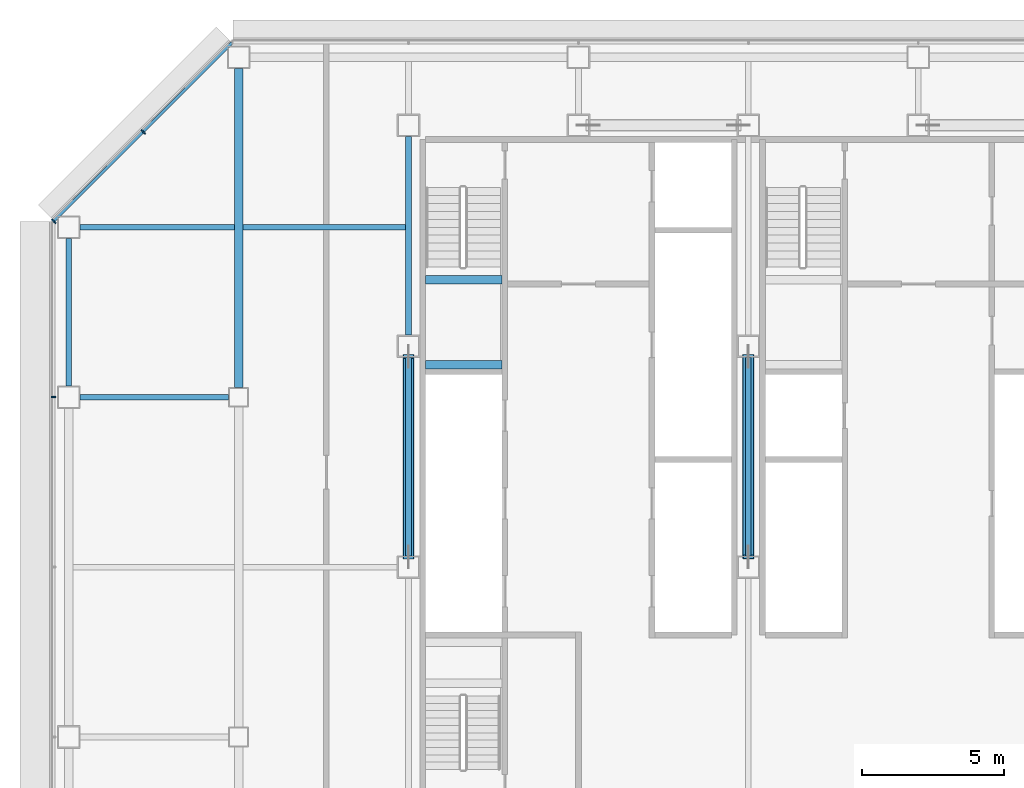
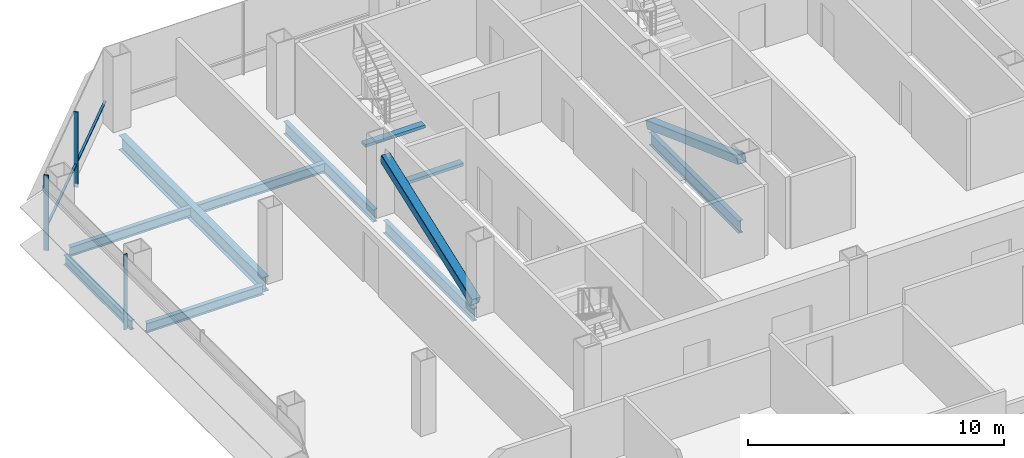
# One storey, part 11 of 25: 10 beams, 6 members, 2 elements without a shape of their own.
"""IFC4 building model written with IfcOpenShell, lengths in metres."""

from ifc_helpers import new_model, si_unit, direction, frame, origin, origin_2d, place, context, subcontext, project, spatial, rectangle, hollow_rectangle, i_section, extrude, material, material_profile, profile_set, type_object, element, aggregate, save


model = new_model("IFC4")

# Units and contexts
model_context = context("Model", 3, precision=1e-05, world=origin(), true_north=direction((0.0, 1.0)))
body_context = subcontext(model_context, "Body", "Model", "MODEL_VIEW")
ifc_project = project(units=[si_unit("LENGTHUNIT", "METRE"), si_unit("AREAUNIT", "SQUARE_METRE"), si_unit("VOLUMEUNIT", "CUBIC_METRE"), si_unit("PLANEANGLEUNIT", "RADIAN"), si_unit("MASSUNIT", "GRAM", prefix="KILO")], contexts=[model_context])

# Site, building, storey
site_placement = place(None, origin())
site = spatial("IfcSite", under=ifc_project, at=site_placement, CompositionType="ELEMENT")
building_placement = place(site_placement, origin())
building = spatial("IfcBuilding", under=site, at=building_placement, Name="Sorahane Residences", CompositionType="ELEMENT")
storey_placement = place(building_placement, frame((0.0, 0.0, 119.60009765625)))
storey = spatial("IfcBuildingStorey", under=building, at=storey_placement, Name="L26", CompositionType="ELEMENT", Elevation=119.60009765625)

# Members
ifc_material_1 = material(Name="Steel Q355B", Category="steel")
ifc_material_profile_1 = material_profile(ifc_material_1, hollow_rectangle(XDim=0.39990234375, YDim=0.39990234375, WallThickness=0.02001953125, InnerFilletRadius=0.010009765625, OuterFilletRadius=0.030029296875, at=origin_2d()), Name="RHS 400x400x20")
ifc_profile_set_1 = profile_set([ifc_material_profile_1], Name="Steel Q355B")
member_type_1 = type_object("IfcMemberType", Name="Core brace RHS 400x400x20 Q355B", PredefinedType="BRACE", material=ifc_profile_set_1)
for number, where, z_axis, x_axis, name in (
    (1, (6.0, 30.358642578125, 0.184814453125), (0.0, 0.938733651637, 0.344643484319), (-1.0, 0.0, 0.0), "Core brace L26 x6-2"),
    (2, (18.0, 37.44140625, 0.184814453125), (0.0, -0.938733651637, 0.344643484319), (1.0, 0.0, 0.0), "Core brace L26 x18-1"),
):
    element("IfcMember", number, at=place(storey_placement, frame(where, z_axis=z_axis, x_axis=x_axis)), inside=storey, type_object=member_type_1, Name=name, PredefinedType="BRACE", context=body_context, shape_type="SweptSolid", body=[
        extrude(hollow_rectangle(XDim=0.39990234375, YDim=0.39990234375, WallThickness=0.02001953125, InnerFilletRadius=0.010009765625, OuterFilletRadius=0.030029296875, at=origin_2d()), origin(), (0.0, 0.0, 1.0), 7.544921875),
    ])

# Curtain wall, member
ifc_material_2 = material(Name="Dark low-e glass and black anodised aluminium", Category="aluminium")
curtain_wall_type_1 = type_object("IfcCurtainWallType", Name="Curtain wall CW-1 Typical unitised wall", PredefinedType="NOTDEFINED", material=ifc_material_2)
curtain_wall_1_placement = place(storey_placement, origin())
curtain_wall_1 = element("IfcCurtainWall", 3, at=curtain_wall_1_placement, inside=storey, type_object=curtain_wall_type_1, Name="CW-1 curtain wall L26 W1", PredefinedType="NOTDEFINED")
ifc_material_3 = material(Name="Black anodised aluminium", Category="aluminium")
ifc_material_profile_2 = material_profile(ifc_material_3, rectangle(XDim=0.159912109375, YDim=0.050048828125, at=origin_2d()), Name="Curtain wall mullion CW-1 black anodised aluminium 50x160")
ifc_profile_set_2 = profile_set([ifc_material_profile_2], Name="Black anodised aluminium")
member_type_2 = type_object("IfcMemberType", Name="Curtain wall mullion CW-1 black anodised aluminium 50x160", PredefinedType="MULLION", material=ifc_profile_set_2)
member_1_placement = place(storey_placement, frame((-6.5400390625, 36.0, -0.18017578125), z_axis=(0.0, 0.0, 1.0), x_axis=(-1.0, 0.0, 0.0)))
member_1 = element("IfcMember", 4, at=member_1_placement, type_object=member_type_2, Name="CW-1 mullion L26 W1.2", PredefinedType="MULLION", context=body_context, shape_type="SweptSolid", body=[
    extrude(rectangle(XDim=0.159912109375, YDim=0.050048828125, at=origin_2d()), origin(), (0.0, 0.0, 1.0), 3.60009765625),
])
aggregate(curtain_wall_1, [member_1])

# Curtain wall, members
ifc_material_4 = material(Name="Dark low-e glass and black anodised aluminium", Category="aluminium")
curtain_wall_type_2 = type_object("IfcCurtainWallType", Name="Curtain wall CW-2 Chamfer unitised wall", PredefinedType="NOTDEFINED", material=ifc_material_4)
curtain_wall_2_placement = place(storey_placement, origin())
curtain_wall_2 = element("IfcCurtainWall", 5, at=curtain_wall_2_placement, inside=storey, type_object=curtain_wall_type_2, Name="CW-2 curtain wall L26 NW1", PredefinedType="NOTDEFINED")
ifc_material_5 = material(Name="Black anodised aluminium", Category="aluminium")
ifc_material_profile_3 = material_profile(ifc_material_5, rectangle(XDim=0.199951171875, YDim=0.050048828125, at=origin_2d()), Name="Curtain wall mullion CW-2 black anodised aluminium 50x200")
ifc_profile_set_3 = profile_set([ifc_material_profile_3], Name="Black anodised aluminium")
member_type_3 = type_object("IfcMemberType", Name="Curtain wall mullion CW-2 black anodised aluminium 50x200", PredefinedType="MULLION", material=ifc_profile_set_3)
member_2_placement = place(storey_placement, frame((-3.36767578125, 45.36767578125, -0.18017578125), z_axis=(0.0, 0.0, 1.0), x_axis=(-0.707106781187, 0.707106781187, 0.0)))
member_2 = element("IfcMember", 6, at=member_2_placement, type_object=member_type_3, Name="CW-2 mullion L26 NW1.2", PredefinedType="MULLION", context=body_context, shape_type="SweptSolid", body=[
    extrude(rectangle(XDim=0.199951171875, YDim=0.050048828125, at=origin_2d()), origin(), (0.0, 0.0, 1.0), 3.60009765625),
])
member_3_placement = place(storey_placement, frame((-6.525634765625, 42.209716796875, -0.18017578125), z_axis=(0.0, 0.0, 1.0), x_axis=(-0.707106781187, 0.707106781187, 0.0)))
member_3 = element("IfcMember", 7, at=member_3_placement, type_object=member_type_3, Name="CW-2 mullion L26 NW1.3", PredefinedType="MULLION", context=body_context, shape_type="SweptSolid", body=[
    extrude(rectangle(XDim=0.199951171875, YDim=0.050048828125, at=origin_2d()), origin(), (0.0, 0.0, 1.0), 3.60009765625),
])
ifc_material_6 = material(Name="Black anodised aluminium", Category="aluminium")
ifc_material_profile_4 = material_profile(ifc_material_6, rectangle(XDim=0.10009765625, YDim=0.06005859375, at=origin_2d()), Name="Curtain wall transom CW-2 black anodised aluminium 60x100")
ifc_profile_set_4 = profile_set([ifc_material_profile_4], Name="Black anodised aluminium")
member_type_4 = type_object("IfcMemberType", Name="Curtain wall transom CW-2 black anodised aluminium 60x100", PredefinedType="USERDEFINED", material=ifc_profile_set_4)
member_4_placement = place(storey_placement, frame((-0.234375, 48.51513671875, 0.89990234375), z_axis=(-0.707106781187, -0.707106781187, 0.0), x_axis=(0.707106781187, -0.707106781187, 0.0)))
member_4 = element("IfcMember", 8, at=member_4_placement, type_object=member_type_4, Name="CW-2 transom L26 NW1", ObjectType="TRANSOM", PredefinedType="USERDEFINED", context=body_context, shape_type="SweptSolid", body=[
    extrude(rectangle(XDim=0.10009765625, YDim=0.06005859375, at=origin_2d()), origin(), (0.0, 0.0, 1.0), 8.88232421875),
])
aggregate(curtain_wall_2, [member_2, member_3, member_4])

# Beams
ifc_material_7 = material(Name="Concrete C40", Category="concrete")
ifc_material_profile_5 = material_profile(ifc_material_7, rectangle(XDim=0.300048828125, YDim=0.139892578125, at=origin_2d()), Name="300x140")
ifc_profile_set_5 = profile_set([ifc_material_profile_5], Name="Concrete C40")
beam_type_1 = type_object("IfcBeamType", Name="RC landing beam 300 x 140 Concrete C40", PredefinedType="BEAM", material=ifc_profile_set_5)
for number, where, z_axis, x_axis, name in (
    (9, (6.60009765625, 37.14990234375, 1.52978515625), (1.0, 0.0, 0.0), (0.0, 1.0, 0.0), "Landing beam"),
    (10, (6.60009765625, 40.14990234375, 1.52978515625), (1.0, 0.0, 0.0), (0.0, 1.0, 0.0), "Landing beam"),
):
    element("IfcBeam", number, at=place(storey_placement, frame(where, z_axis=z_axis, x_axis=x_axis)), inside=storey, type_object=beam_type_1, Name=name, PredefinedType="BEAM", context=body_context, shape_type="SweptSolid", body=[
        extrude(rectangle(XDim=0.300048828125, YDim=0.139892578125, at=origin_2d()), origin(), (0.0, 0.0, 1.0), 2.699951171875),
    ])
ifc_material_8 = material(Name="Steel Q355B", Category="steel")
ifc_material_profile_6 = material_profile(ifc_material_8, i_section(OverallWidth=0.199951171875, OverallDepth=0.449951171875, WebThickness=0.009033203125, FlangeThickness=0.013916015625, FilletRadius=0.02001953125, at=origin_2d()), Name="HN 450x200x9x14")
ifc_profile_set_6 = profile_set([ifc_material_profile_6], Name="Steel Q355B")
beam_type_2 = type_object("IfcBeamType", Name="Steel floor beam HN 450x200x9x14 Q355B", PredefinedType="BEAM", material=ifc_profile_set_6)
beam_1_placement = place(storey_placement, frame((-5.60009765625, 36.0, -0.405029296875), z_axis=(1.0, 0.0, 0.0), x_axis=(0.0, 1.0, 0.0)))
element("IfcBeam", 11, at=beam_1_placement, inside=storey, type_object=beam_type_2, Name="Beam L26 013", PredefinedType="BEAM", context=body_context, shape_type="SweptSolid", body=[
    extrude(i_section(OverallWidth=0.199951171875, OverallDepth=0.449951171875, WebThickness=0.009033203125, FlangeThickness=0.013916015625, FilletRadius=0.02001953125, at=origin_2d()), origin(), (0.0, 0.0, 1.0), 5.25),
])
beam_2_placement = place(storey_placement, frame((-6.0, 36.39990234375, -0.405029296875), z_axis=(0.0, 1.0, 0.0), x_axis=(-1.0, 0.0, 0.0)))
element("IfcBeam", 12, at=beam_2_placement, inside=storey, type_object=beam_type_2, Name="Beam L26 023", PredefinedType="BEAM", context=body_context, shape_type="SweptSolid", body=[
    extrude(i_section(OverallWidth=0.199951171875, OverallDepth=0.449951171875, WebThickness=0.009033203125, FlangeThickness=0.013916015625, FilletRadius=0.02001953125, at=origin_2d()), origin(), (0.0, 0.0, 1.0), 5.2001953125),
])
beam_3_placement = place(storey_placement, frame((-5.60009765625, 42.0, -0.405029296875), z_axis=(1.0, 0.0, 0.0), x_axis=(0.0, 1.0, 0.0)))
element("IfcBeam", 13, at=beam_3_placement, inside=storey, type_object=beam_type_2, Name="Beam L26 089", PredefinedType="BEAM", context=body_context, shape_type="SweptSolid", body=[
    extrude(i_section(OverallWidth=0.199951171875, OverallDepth=0.449951171875, WebThickness=0.009033203125, FlangeThickness=0.013916015625, FilletRadius=0.02001953125, at=origin_2d()), origin(), (0.0, 0.0, 1.0), 5.4501953125),
])
beam_4_placement = place(storey_placement, frame((0.14990234375, 42.0, -0.405029296875), z_axis=(1.0, 0.0, 0.0), x_axis=(0.0, 1.0, 0.0)))
element("IfcBeam", 14, at=beam_4_placement, inside=storey, type_object=beam_type_2, Name="Beam L26 090", PredefinedType="BEAM", context=body_context, shape_type="SweptSolid", body=[
    extrude(i_section(OverallWidth=0.199951171875, OverallDepth=0.449951171875, WebThickness=0.009033203125, FlangeThickness=0.013916015625, FilletRadius=0.02001953125, at=origin_2d()), origin(), (0.0, 0.0, 1.0), 5.75),
])
ifc_material_9 = material(Name="Steel Q355B", Category="steel")
ifc_material_profile_7 = material_profile(ifc_material_9, i_section(OverallWidth=0.199951171875, OverallDepth=0.60009765625, WebThickness=0.010986328125, FlangeThickness=0.01708984375, FilletRadius=0.02392578125, at=origin_2d()), Name="HN 600x200x11x17")
ifc_profile_set_7 = profile_set([ifc_material_profile_7], Name="Steel Q355B")
beam_type_3 = type_object("IfcBeamType", Name="Steel floor beam HN 600x200x11x17 Q355B", PredefinedType="BEAM", material=ifc_profile_set_7)
for number, where, z_axis, x_axis, name in (
    (15, (6.0, 30.39990234375, -0.47998046875), (0.0, 1.0, 0.0), (-1.0, 0.0, 0.0), "Beam L26 031"),
    (16, (6.0, 38.199951171875, -0.47998046875), (0.0, 1.0, 0.0), (-1.0, 0.0, 0.0), "Beam L26 032"),
    (17, (18.0, 30.39990234375, -0.47998046875), (0.0, 1.0, 0.0), (-1.0, 0.0, 0.0), "Beam L26 039"),
):
    element("IfcBeam", number, at=place(storey_placement, frame(where, z_axis=z_axis, x_axis=x_axis)), inside=storey, type_object=beam_type_3, Name=name, PredefinedType="BEAM", context=body_context, shape_type="SweptSolid", body=[
        extrude(i_section(OverallWidth=0.199951171875, OverallDepth=0.60009765625, WebThickness=0.010986328125, FlangeThickness=0.01708984375, FilletRadius=0.02392578125, at=origin_2d()), origin(), (0.0, 0.0, 1.0), 7.0),
    ])
ifc_material_10 = material(Name="Steel Q355B", Category="steel")
ifc_material_profile_8 = material_profile(ifc_material_10, i_section(OverallWidth=0.300048828125, OverallDepth=0.699951171875, WebThickness=0.012939453125, FlangeThickness=0.02392578125, FilletRadius=0.028076171875, at=origin_2d()), Name="HN 700x300x13x24")
ifc_profile_set_8 = profile_set([ifc_material_profile_8], Name="Steel Q355B")
beam_type_4 = type_object("IfcBeamType", Name="Steel floor beam HN 700x300x13x24 Q355B", PredefinedType="BEAM", material=ifc_profile_set_8)
beam_5_placement = place(storey_placement, frame((0.0, 36.35009765625, -0.530029296875), z_axis=(0.0, 1.0, 0.0), x_axis=(-1.0, 0.0, 0.0)))
element("IfcBeam", 18, at=beam_5_placement, inside=storey, type_object=beam_type_4, Name="Beam L26 027", PredefinedType="BEAM", context=body_context, shape_type="SweptSolid", body=[
    extrude(i_section(OverallWidth=0.300048828125, OverallDepth=0.699951171875, WebThickness=0.012939453125, FlangeThickness=0.02392578125, FilletRadius=0.028076171875, at=origin_2d()), origin(), (0.0, 0.0, 1.0), 11.25),
])

save(model, "model.ifc")
